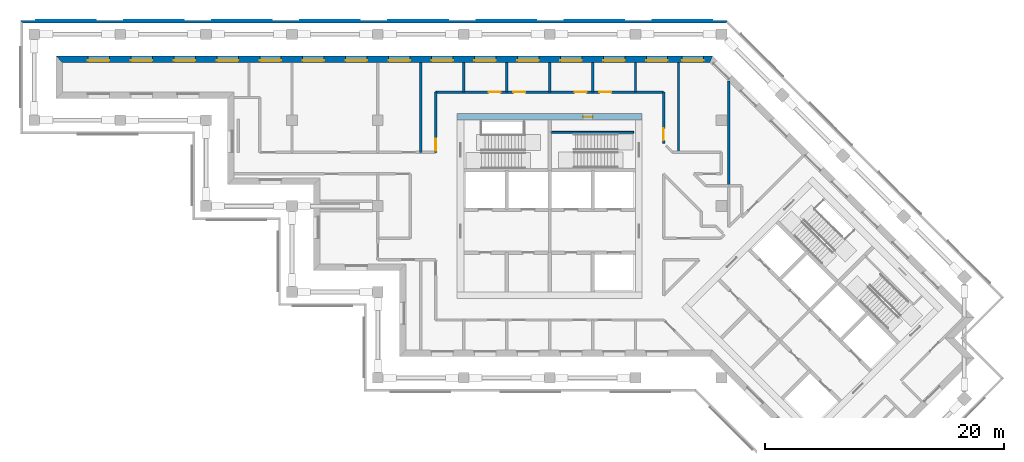
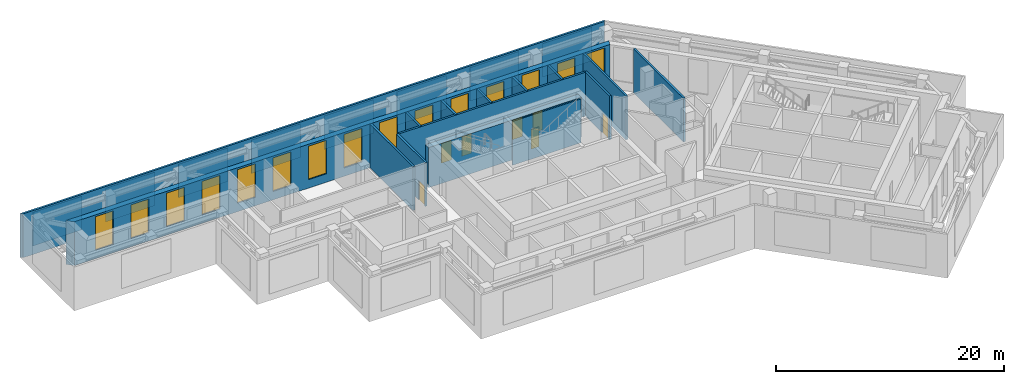
# One storey, part 6 of 10: 15 walls, 15 windows, 8 plates, 7 doors, 22 openings.
"""IFC4 building model written with IfcOpenShell, lengths in metres."""

from ifc_helpers import new_model, si_unit, direction, frame, frame_2d, origin, place, context, subcontext, project, spatial, polyline, rectangle, outline, extrude, material, layer, layer_set, type_object, element, fill, aggregate, save


model = new_model("IFC4")

# Units and contexts
model_context = context("Model", 3, precision=1e-05, world=origin(), true_north=direction((0.0, 1.0)))
body_context = subcontext(model_context, "Body", "Model", "MODEL_VIEW")
ifc_project = project(units=[si_unit("LENGTHUNIT", "METRE"), si_unit("AREAUNIT", "SQUARE_METRE"), si_unit("VOLUMEUNIT", "CUBIC_METRE"), si_unit("PLANEANGLEUNIT", "RADIAN"), si_unit("MASSUNIT", "GRAM", prefix="KILO")], contexts=[model_context])

# Plate
ifc_material_1 = material(Name="Aluminium louvre", Category="aluminium")
ifc_layer_1 = layer(ifc_material_1, 0.05)
ifc_layer_set_1 = layer_set([ifc_layer_1], Name="Belt louvre panel 5000x3600")
plate_type = type_object("IfcPlateType", Name="Belt louvre panel 5000x3600", PredefinedType="SHEET", material=ifc_layer_set_1)
site_placement = place(None, origin())
building_placement = place(site_placement, origin())
storey_placement = place(building_placement, frame((0.0, 0.0, 180.4)))
plate_1_placement = place(storey_placement, frame((78.4421, 73.2, 0.75), z_axis=(0.0, 1.0, 0.0), x_axis=(-1.0, 0.0, 0.0)))
plate_1 = element("IfcPlate", 1, at=plate_1_placement, type_object=plate_type, Name="Belt louvre panel L49 24.1", PredefinedType="SHEET", context=body_context, shape_type="SweptSolid", body=[
    extrude(outline(polyline([(0.0, 0.0), (5.0, 0.0), (5.0, 3.6), (0.0, 3.6), (0.0, 0.0)])), origin(), (0.0, 0.0, -1.0), 0.05),
])

plate_2_placement = place(storey_placement, frame((71.0565, 73.2, 0.75), z_axis=(0.0, 1.0, 0.0), x_axis=(-1.0, 0.0, 0.0)))
plate_2 = element("IfcPlate", 2, at=plate_2_placement, type_object=plate_type, Name="Belt louvre panel L49 25.2", PredefinedType="SHEET", context=body_context, shape_type="SweptSolid", body=[
    extrude(outline(polyline([(0.0, 0.0), (5.0, 0.0), (5.0, 3.6), (0.0, 3.6), (0.0, 0.0)])), origin(), (0.0, 0.0, -1.0), 0.05),
])

plate_3_placement = place(storey_placement, frame((63.6709, 73.2, 0.75), z_axis=(0.0, 1.0, 0.0), x_axis=(-1.0, 0.0, 0.0)))
plate_3 = element("IfcPlate", 3, at=plate_3_placement, type_object=plate_type, Name="Belt louvre panel L49 26.3", PredefinedType="SHEET", context=body_context, shape_type="SweptSolid", body=[
    extrude(outline(polyline([(0.0, 0.0), (5.0, 0.0), (5.0, 3.6), (0.0, 3.6), (0.0, 0.0)])), origin(), (0.0, 0.0, -1.0), 0.05),
])

plate_4_placement = place(storey_placement, frame((56.2852, 73.2, 0.75), z_axis=(0.0, 1.0, 0.0), x_axis=(-1.0, 0.0, 0.0)))
plate_4 = element("IfcPlate", 4, at=plate_4_placement, type_object=plate_type, Name="Belt louvre panel L49 27.4", PredefinedType="SHEET", context=body_context, shape_type="SweptSolid", body=[
    extrude(outline(polyline([(0.0, 0.0), (5.0, 0.0), (5.0, 3.6), (0.0, 3.6), (0.0, 0.0)])), origin(), (0.0, 0.0, -1.0), 0.05),
])

plate_5_placement = place(storey_placement, frame((48.8996, 73.2, 0.75), z_axis=(0.0, 1.0, 0.0), x_axis=(-1.0, 0.0, 0.0)))
plate_5 = element("IfcPlate", 5, at=plate_5_placement, type_object=plate_type, Name="Belt louvre panel L49 28.5", PredefinedType="SHEET", context=body_context, shape_type="SweptSolid", body=[
    extrude(outline(polyline([(0.0, 0.0), (5.0, 0.0), (5.0, 3.6), (0.0, 3.6), (0.0, 0.0)])), origin(), (0.0, 0.0, -1.0), 0.05),
])

plate_6_placement = place(storey_placement, frame((41.514, 73.2, 0.75), z_axis=(0.0, 1.0, 0.0), x_axis=(-1.0, 0.0, 0.0)))
plate_6 = element("IfcPlate", 6, at=plate_6_placement, type_object=plate_type, Name="Belt louvre panel L49 29.6", PredefinedType="SHEET", context=body_context, shape_type="SweptSolid", body=[
    extrude(outline(polyline([(0.0, 0.0), (5.0, 0.0), (5.0, 3.6), (0.0, 3.6), (0.0, 0.0)])), origin(), (0.0, 0.0, -1.0), 0.05),
])

plate_7_placement = place(storey_placement, frame((34.1284, 73.2, 0.75), z_axis=(0.0, 1.0, 0.0), x_axis=(-1.0, 0.0, 0.0)))
plate_7 = element("IfcPlate", 7, at=plate_7_placement, type_object=plate_type, Name="Belt louvre panel L49 30.7", PredefinedType="SHEET", context=body_context, shape_type="SweptSolid", body=[
    extrude(outline(polyline([(0.0, 0.0), (5.0, 0.0), (5.0, 3.6), (0.0, 3.6), (0.0, 0.0)])), origin(), (0.0, 0.0, -1.0), 0.05),
])

plate_8_placement = place(storey_placement, frame((26.7428, 73.2, 0.75), z_axis=(0.0, 1.0, 0.0), x_axis=(-1.0, 0.0, 0.0)))
plate_8 = element("IfcPlate", 8, at=plate_8_placement, type_object=plate_type, Name="Belt louvre panel L49 31.8", PredefinedType="SHEET", context=body_context, shape_type="SweptSolid", body=[
    extrude(outline(polyline([(0.0, 0.0), (5.0, 0.0), (5.0, 3.6), (0.0, 3.6), (0.0, 0.0)])), origin(), (0.0, 0.0, -1.0), 0.05),
])

# Site, building, storey
site = spatial("IfcSite", under=ifc_project, at=site_placement, CompositionType="ELEMENT")
building = spatial("IfcBuilding", under=site, at=building_placement, Name="Windrow Commons", CompositionType="ELEMENT")
storey = spatial("IfcBuildingStorey", under=building, at=storey_placement, Name="L49", CompositionType="ELEMENT", Elevation=180.4)

# Wall
ifc_material_2 = material(Name="Concrete C40/50 precast screen panel", Category="concrete")
ifc_layer_2 = layer(ifc_material_2, 0.2)
ifc_layer_set_2 = layer_set([ifc_layer_2], Name="Belt screen wall 200")
wall_type_1 = type_object("IfcWallType", Name="Belt screen wall 200", PredefinedType="SOLIDWALL", material=ifc_layer_set_2)
wall_1_placement = place(storey_placement, frame((79.6349, 73.05, 0.0), z_axis=(0.0, 0.0, 1.0), x_axis=(-1.0, 0.0, 0.0)))
wall_1 = element("IfcWall", 9, at=wall_1_placement, inside=storey, type_object=wall_type_1, Name="Belt screen wall L49 24", PredefinedType="SOLIDWALL", context=body_context, shape_type="SweptSolid", body=[
    extrude(outline(polyline([(-0.0414, -0.1), (59.1849, -0.1), (58.9849, 0.1), (0.0414, 0.1), (-0.0414, -0.1)])), origin(), (0.0, 0.0, 1.0), 4.7),
])

aggregate(wall_1, [plate_1, plate_2, plate_3, plate_4, plate_5, plate_6, plate_7, plate_8])

# Wall, openings, windows
ifc_material_3 = material(Name="Brick masonry, red clay brick", Category="masonry")
ifc_layer_3 = layer(ifc_material_3, 0.55)
ifc_layer_set_3 = layer_set([ifc_layer_3], Name="Brick facade wall 550")
wall_type_2 = type_object("IfcWallType", Name="Brick facade wall 550", PredefinedType="SOLIDWALL", material=ifc_layer_set_3)
wall_2_placement = place(storey_placement, frame((78.3405, 69.925, 0.0), z_axis=(0.0, 0.0, 1.0), x_axis=(-1.0, 0.0, 0.0)))
wall_2 = element("IfcWall", 10, at=wall_2_placement, inside=storey, type_object=wall_type_2, Name="Brick facade wall L49 4", PredefinedType="SOLIDWALL", context=body_context, shape_type="SweptSolid", body=[
    extrude(outline(polyline([(-0.1139, -0.275), (54.9405, -0.275), (54.3905, 0.275), (0.1139, 0.275), (-0.1139, -0.275)])), origin(), (0.0, 0.0, 1.0), 4.7),
])
opening_1_placement = place(wall_2_placement, frame((0.6272, 0.0, 0.9)))
opening_1 = element("IfcOpeningElement", 11, at=opening_1_placement, cuts=wall_2, Name="Opening LV2", PredefinedType="OPENING", context=body_context, shape_type="SweptSolid", body=[
    extrude(rectangle(XDim=1.8, YDim=3.6, at=frame_2d((0.9, 1.8))), frame((0.0, 0.285, 0.0), z_axis=(0.0, -1.0, 0.0), x_axis=(1.0, 0.0, 0.0)), (0.0, 0.0, 1.0), 0.57),
])
opening_2_placement = place(wall_2_placement, frame((3.6405, 0.0, 0.9)))
opening_2 = element("IfcOpeningElement", 12, at=opening_2_placement, cuts=wall_2, Name="Opening LV2", PredefinedType="OPENING", context=body_context, shape_type="SweptSolid", body=[
    extrude(rectangle(XDim=1.8, YDim=3.6, at=frame_2d((0.9, 1.8))), frame((0.0, 0.285, 0.0), z_axis=(0.0, -1.0, 0.0), x_axis=(1.0, 0.0, 0.0)), (0.0, 0.0, 1.0), 0.57),
])
opening_3_placement = place(wall_2_placement, frame((7.2405, 0.0, 0.9)))
opening_3 = element("IfcOpeningElement", 13, at=opening_3_placement, cuts=wall_2, Name="Opening LV2", PredefinedType="OPENING", context=body_context, shape_type="SweptSolid", body=[
    extrude(rectangle(XDim=1.8, YDim=3.6, at=frame_2d((0.9, 1.8))), frame((0.0, 0.285, 0.0), z_axis=(0.0, -1.0, 0.0), x_axis=(1.0, 0.0, 0.0)), (0.0, 0.0, 1.0), 0.57),
])
opening_4_placement = place(wall_2_placement, frame((10.8405, 0.0, 0.9)))
opening_4 = element("IfcOpeningElement", 14, at=opening_4_placement, cuts=wall_2, Name="Opening LV2", PredefinedType="OPENING", context=body_context, shape_type="SweptSolid", body=[
    extrude(rectangle(XDim=1.8, YDim=3.6, at=frame_2d((0.9, 1.8))), frame((0.0, 0.285, 0.0), z_axis=(0.0, -1.0, 0.0), x_axis=(1.0, 0.0, 0.0)), (0.0, 0.0, 1.0), 0.57),
])
opening_5_placement = place(wall_2_placement, frame((14.4405, 0.0, 0.9)))
opening_5 = element("IfcOpeningElement", 15, at=opening_5_placement, cuts=wall_2, Name="Opening LV2", PredefinedType="OPENING", context=body_context, shape_type="SweptSolid", body=[
    extrude(rectangle(XDim=1.8, YDim=3.6, at=frame_2d((0.9, 1.8))), frame((0.0, 0.285, 0.0), z_axis=(0.0, -1.0, 0.0), x_axis=(1.0, 0.0, 0.0)), (0.0, 0.0, 1.0), 0.57),
])
opening_6_placement = place(wall_2_placement, frame((18.0405, 0.0, 0.9)))
opening_6 = element("IfcOpeningElement", 16, at=opening_6_placement, cuts=wall_2, Name="Opening LV2", PredefinedType="OPENING", context=body_context, shape_type="SweptSolid", body=[
    extrude(rectangle(XDim=1.8, YDim=3.6, at=frame_2d((0.9, 1.8))), frame((0.0, 0.285, 0.0), z_axis=(0.0, -1.0, 0.0), x_axis=(1.0, 0.0, 0.0)), (0.0, 0.0, 1.0), 0.57),
])
opening_7_placement = place(wall_2_placement, frame((21.6405, 0.0, 0.9)))
opening_7 = element("IfcOpeningElement", 17, at=opening_7_placement, cuts=wall_2, Name="Opening LV2", PredefinedType="OPENING", context=body_context, shape_type="SweptSolid", body=[
    extrude(rectangle(XDim=1.8, YDim=3.6, at=frame_2d((0.9, 1.8))), frame((0.0, 0.285, 0.0), z_axis=(0.0, -1.0, 0.0), x_axis=(1.0, 0.0, 0.0)), (0.0, 0.0, 1.0), 0.57),
])
opening_8_placement = place(wall_2_placement, frame((25.2405, 0.0, 0.9)))
opening_8 = element("IfcOpeningElement", 18, at=opening_8_placement, cuts=wall_2, Name="Opening LV2", PredefinedType="OPENING", context=body_context, shape_type="SweptSolid", body=[
    extrude(rectangle(XDim=1.8, YDim=3.6, at=frame_2d((0.9, 1.8))), frame((0.0, 0.285, 0.0), z_axis=(0.0, -1.0, 0.0), x_axis=(1.0, 0.0, 0.0)), (0.0, 0.0, 1.0), 0.57),
])
opening_9_placement = place(wall_2_placement, frame((28.8405, 0.0, 0.9)))
opening_9 = element("IfcOpeningElement", 19, at=opening_9_placement, cuts=wall_2, Name="Opening LV2", PredefinedType="OPENING", context=body_context, shape_type="SweptSolid", body=[
    extrude(rectangle(XDim=1.8, YDim=3.6, at=frame_2d((0.9, 1.8))), frame((0.0, 0.285, 0.0), z_axis=(0.0, -1.0, 0.0), x_axis=(1.0, 0.0, 0.0)), (0.0, 0.0, 1.0), 0.57),
])
opening_10_placement = place(wall_2_placement, frame((32.4405, 0.0, 0.9)))
opening_10 = element("IfcOpeningElement", 20, at=opening_10_placement, cuts=wall_2, Name="Opening LV2", PredefinedType="OPENING", context=body_context, shape_type="SweptSolid", body=[
    extrude(rectangle(XDim=1.8, YDim=3.6, at=frame_2d((0.9, 1.8))), frame((0.0, 0.285, 0.0), z_axis=(0.0, -1.0, 0.0), x_axis=(1.0, 0.0, 0.0)), (0.0, 0.0, 1.0), 0.57),
])
opening_11_placement = place(wall_2_placement, frame((36.0405, 0.0, 0.9)))
opening_11 = element("IfcOpeningElement", 21, at=opening_11_placement, cuts=wall_2, Name="Opening LV2", PredefinedType="OPENING", context=body_context, shape_type="SweptSolid", body=[
    extrude(rectangle(XDim=1.8, YDim=3.6, at=frame_2d((0.9, 1.8))), frame((0.0, 0.285, 0.0), z_axis=(0.0, -1.0, 0.0), x_axis=(1.0, 0.0, 0.0)), (0.0, 0.0, 1.0), 0.57),
])
opening_12_placement = place(wall_2_placement, frame((39.6405, 0.0, 0.9)))
opening_12 = element("IfcOpeningElement", 22, at=opening_12_placement, cuts=wall_2, Name="Opening LV2", PredefinedType="OPENING", context=body_context, shape_type="SweptSolid", body=[
    extrude(rectangle(XDim=1.8, YDim=3.6, at=frame_2d((0.9, 1.8))), frame((0.0, 0.285, 0.0), z_axis=(0.0, -1.0, 0.0), x_axis=(1.0, 0.0, 0.0)), (0.0, 0.0, 1.0), 0.57),
])
opening_13_placement = place(wall_2_placement, frame((43.2405, 0.0, 0.9)))
opening_13 = element("IfcOpeningElement", 23, at=opening_13_placement, cuts=wall_2, Name="Opening LV2", PredefinedType="OPENING", context=body_context, shape_type="SweptSolid", body=[
    extrude(rectangle(XDim=1.8, YDim=3.6, at=frame_2d((0.9, 1.8))), frame((0.0, 0.285, 0.0), z_axis=(0.0, -1.0, 0.0), x_axis=(1.0, 0.0, 0.0)), (0.0, 0.0, 1.0), 0.57),
])
opening_14_placement = place(wall_2_placement, frame((46.8405, 0.0, 0.9)))
opening_14 = element("IfcOpeningElement", 24, at=opening_14_placement, cuts=wall_2, Name="Opening LV2", PredefinedType="OPENING", context=body_context, shape_type="SweptSolid", body=[
    extrude(rectangle(XDim=1.8, YDim=3.6, at=frame_2d((0.9, 1.8))), frame((0.0, 0.285, 0.0), z_axis=(0.0, -1.0, 0.0), x_axis=(1.0, 0.0, 0.0)), (0.0, 0.0, 1.0), 0.57),
])
opening_15_placement = place(wall_2_placement, frame((50.4405, 0.0, 0.9)))
opening_15 = element("IfcOpeningElement", 25, at=opening_15_placement, cuts=wall_2, Name="Opening LV2", PredefinedType="OPENING", context=body_context, shape_type="SweptSolid", body=[
    extrude(rectangle(XDim=1.8, YDim=3.6, at=frame_2d((0.9, 1.8))), frame((0.0, 0.285, 0.0), z_axis=(0.0, -1.0, 0.0), x_axis=(1.0, 0.0, 0.0)), (0.0, 0.0, 1.0), 0.57),
])
ifc_material_4 = material(Name="Aluminium 6063-T6 anodised louvre", Category="aluminium")
window_type = type_object("IfcWindowType", Name="Plant louvre 1800x3600", PartitioningType="SINGLE_PANEL", PredefinedType="WINDOW", material=ifc_material_4)
window_1_placement = place(opening_1_placement, origin())
window_1 = element("IfcWindow", 26, at=window_1_placement, inside=storey, type_object=window_type, Name="Louvre L49 4.1", OverallHeight=3.6, OverallWidth=1.8, PartitioningType="SINGLE_PANEL", PredefinedType="WINDOW", context=body_context, shape_type="SweptSolid", body=[
    extrude(rectangle(XDim=1.8, YDim=3.6, at=frame_2d((0.9, 1.8))), frame((0.0, 0.155, 0.0), z_axis=(0.0, -1.0, 0.0), x_axis=(1.0, 0.0, 0.0)), (0.0, 0.0, 1.0), 0.06),
])
fill(opening_1, window_1)
window_2_placement = place(opening_2_placement, origin())
window_2 = element("IfcWindow", 27, at=window_2_placement, inside=storey, type_object=window_type, Name="Louvre L49 4.2", OverallHeight=3.6, OverallWidth=1.8, PartitioningType="SINGLE_PANEL", PredefinedType="WINDOW", context=body_context, shape_type="SweptSolid", body=[
    extrude(rectangle(XDim=1.8, YDim=3.6, at=frame_2d((0.9, 1.8))), frame((0.0, 0.155, 0.0), z_axis=(0.0, -1.0, 0.0), x_axis=(1.0, 0.0, 0.0)), (0.0, 0.0, 1.0), 0.06),
])
fill(opening_2, window_2)
window_3_placement = place(opening_3_placement, origin())
window_3 = element("IfcWindow", 28, at=window_3_placement, inside=storey, type_object=window_type, Name="Louvre L49 4.3", OverallHeight=3.6, OverallWidth=1.8, PartitioningType="SINGLE_PANEL", PredefinedType="WINDOW", context=body_context, shape_type="SweptSolid", body=[
    extrude(rectangle(XDim=1.8, YDim=3.6, at=frame_2d((0.9, 1.8))), frame((0.0, 0.155, 0.0), z_axis=(0.0, -1.0, 0.0), x_axis=(1.0, 0.0, 0.0)), (0.0, 0.0, 1.0), 0.06),
])
fill(opening_3, window_3)
window_4_placement = place(opening_4_placement, origin())
window_4 = element("IfcWindow", 29, at=window_4_placement, inside=storey, type_object=window_type, Name="Louvre L49 4.4", OverallHeight=3.6, OverallWidth=1.8, PartitioningType="SINGLE_PANEL", PredefinedType="WINDOW", context=body_context, shape_type="SweptSolid", body=[
    extrude(rectangle(XDim=1.8, YDim=3.6, at=frame_2d((0.9, 1.8))), frame((0.0, 0.155, 0.0), z_axis=(0.0, -1.0, 0.0), x_axis=(1.0, 0.0, 0.0)), (0.0, 0.0, 1.0), 0.06),
])
fill(opening_4, window_4)
window_5_placement = place(opening_5_placement, origin())
window_5 = element("IfcWindow", 30, at=window_5_placement, inside=storey, type_object=window_type, Name="Louvre L49 4.5", OverallHeight=3.6, OverallWidth=1.8, PartitioningType="SINGLE_PANEL", PredefinedType="WINDOW", context=body_context, shape_type="SweptSolid", body=[
    extrude(rectangle(XDim=1.8, YDim=3.6, at=frame_2d((0.9, 1.8))), frame((0.0, 0.155, 0.0), z_axis=(0.0, -1.0, 0.0), x_axis=(1.0, 0.0, 0.0)), (0.0, 0.0, 1.0), 0.06),
])
fill(opening_5, window_5)
window_6_placement = place(opening_6_placement, origin())
window_6 = element("IfcWindow", 31, at=window_6_placement, inside=storey, type_object=window_type, Name="Louvre L49 4.6", OverallHeight=3.6, OverallWidth=1.8, PartitioningType="SINGLE_PANEL", PredefinedType="WINDOW", context=body_context, shape_type="SweptSolid", body=[
    extrude(rectangle(XDim=1.8, YDim=3.6, at=frame_2d((0.9, 1.8))), frame((0.0, 0.155, 0.0), z_axis=(0.0, -1.0, 0.0), x_axis=(1.0, 0.0, 0.0)), (0.0, 0.0, 1.0), 0.06),
])
fill(opening_6, window_6)
window_7_placement = place(opening_7_placement, origin())
window_7 = element("IfcWindow", 32, at=window_7_placement, inside=storey, type_object=window_type, Name="Louvre L49 4.7", OverallHeight=3.6, OverallWidth=1.8, PartitioningType="SINGLE_PANEL", PredefinedType="WINDOW", context=body_context, shape_type="SweptSolid", body=[
    extrude(rectangle(XDim=1.8, YDim=3.6, at=frame_2d((0.9, 1.8))), frame((0.0, 0.155, 0.0), z_axis=(0.0, -1.0, 0.0), x_axis=(1.0, 0.0, 0.0)), (0.0, 0.0, 1.0), 0.06),
])
fill(opening_7, window_7)
window_8_placement = place(opening_8_placement, origin())
window_8 = element("IfcWindow", 33, at=window_8_placement, inside=storey, type_object=window_type, Name="Louvre L49 4.8", OverallHeight=3.6, OverallWidth=1.8, PartitioningType="SINGLE_PANEL", PredefinedType="WINDOW", context=body_context, shape_type="SweptSolid", body=[
    extrude(rectangle(XDim=1.8, YDim=3.6, at=frame_2d((0.9, 1.8))), frame((0.0, 0.155, 0.0), z_axis=(0.0, -1.0, 0.0), x_axis=(1.0, 0.0, 0.0)), (0.0, 0.0, 1.0), 0.06),
])
fill(opening_8, window_8)
window_9_placement = place(opening_9_placement, origin())
window_9 = element("IfcWindow", 34, at=window_9_placement, inside=storey, type_object=window_type, Name="Louvre L49 4.9", OverallHeight=3.6, OverallWidth=1.8, PartitioningType="SINGLE_PANEL", PredefinedType="WINDOW", context=body_context, shape_type="SweptSolid", body=[
    extrude(rectangle(XDim=1.8, YDim=3.6, at=frame_2d((0.9, 1.8))), frame((0.0, 0.155, 0.0), z_axis=(0.0, -1.0, 0.0), x_axis=(1.0, 0.0, 0.0)), (0.0, 0.0, 1.0), 0.06),
])
fill(opening_9, window_9)
window_10_placement = place(opening_10_placement, origin())
window_10 = element("IfcWindow", 35, at=window_10_placement, inside=storey, type_object=window_type, Name="Louvre L49 4.10", OverallHeight=3.6, OverallWidth=1.8, PartitioningType="SINGLE_PANEL", PredefinedType="WINDOW", context=body_context, shape_type="SweptSolid", body=[
    extrude(rectangle(XDim=1.8, YDim=3.6, at=frame_2d((0.9, 1.8))), frame((0.0, 0.155, 0.0), z_axis=(0.0, -1.0, 0.0), x_axis=(1.0, 0.0, 0.0)), (0.0, 0.0, 1.0), 0.06),
])
fill(opening_10, window_10)
window_11_placement = place(opening_11_placement, origin())
window_11 = element("IfcWindow", 36, at=window_11_placement, inside=storey, type_object=window_type, Name="Louvre L49 4.11", OverallHeight=3.6, OverallWidth=1.8, PartitioningType="SINGLE_PANEL", PredefinedType="WINDOW", context=body_context, shape_type="SweptSolid", body=[
    extrude(rectangle(XDim=1.8, YDim=3.6, at=frame_2d((0.9, 1.8))), frame((0.0, 0.155, 0.0), z_axis=(0.0, -1.0, 0.0), x_axis=(1.0, 0.0, 0.0)), (0.0, 0.0, 1.0), 0.06),
])
fill(opening_11, window_11)
window_12_placement = place(opening_12_placement, origin())
window_12 = element("IfcWindow", 37, at=window_12_placement, inside=storey, type_object=window_type, Name="Louvre L49 4.12", OverallHeight=3.6, OverallWidth=1.8, PartitioningType="SINGLE_PANEL", PredefinedType="WINDOW", context=body_context, shape_type="SweptSolid", body=[
    extrude(rectangle(XDim=1.8, YDim=3.6, at=frame_2d((0.9, 1.8))), frame((0.0, 0.155, 0.0), z_axis=(0.0, -1.0, 0.0), x_axis=(1.0, 0.0, 0.0)), (0.0, 0.0, 1.0), 0.06),
])
fill(opening_12, window_12)
window_13_placement = place(opening_13_placement, origin())
window_13 = element("IfcWindow", 38, at=window_13_placement, inside=storey, type_object=window_type, Name="Louvre L49 4.13", OverallHeight=3.6, OverallWidth=1.8, PartitioningType="SINGLE_PANEL", PredefinedType="WINDOW", context=body_context, shape_type="SweptSolid", body=[
    extrude(rectangle(XDim=1.8, YDim=3.6, at=frame_2d((0.9, 1.8))), frame((0.0, 0.155, 0.0), z_axis=(0.0, -1.0, 0.0), x_axis=(1.0, 0.0, 0.0)), (0.0, 0.0, 1.0), 0.06),
])
fill(opening_13, window_13)
window_14_placement = place(opening_14_placement, origin())
window_14 = element("IfcWindow", 39, at=window_14_placement, inside=storey, type_object=window_type, Name="Louvre L49 4.14", OverallHeight=3.6, OverallWidth=1.8, PartitioningType="SINGLE_PANEL", PredefinedType="WINDOW", context=body_context, shape_type="SweptSolid", body=[
    extrude(rectangle(XDim=1.8, YDim=3.6, at=frame_2d((0.9, 1.8))), frame((0.0, 0.155, 0.0), z_axis=(0.0, -1.0, 0.0), x_axis=(1.0, 0.0, 0.0)), (0.0, 0.0, 1.0), 0.06),
])
fill(opening_14, window_14)
window_15_placement = place(opening_15_placement, origin())
window_15 = element("IfcWindow", 40, at=window_15_placement, inside=storey, type_object=window_type, Name="Louvre L49 4.15", OverallHeight=3.6, OverallWidth=1.8, PartitioningType="SINGLE_PANEL", PredefinedType="WINDOW", context=body_context, shape_type="SweptSolid", body=[
    extrude(rectangle(XDim=1.8, YDim=3.6, at=frame_2d((0.9, 1.8))), frame((0.0, 0.155, 0.0), z_axis=(0.0, -1.0, 0.0), x_axis=(1.0, 0.0, 0.0)), (0.0, 0.0, 1.0), 0.06),
])
fill(opening_15, window_15)

# Wall, openings, doors
ifc_material_5 = material(Name="Blockwork partition", Category="masonry")
ifc_layer_4 = layer(ifc_material_5, 0.2)
ifc_layer_set_4 = layer_set([ifc_layer_4], Name="IW-CORRIDOR-200")
wall_type_3 = type_object("IfcWallType", Name="IW-CORRIDOR-200", PredefinedType="PARTITIONING", material=ifc_layer_set_4)
wall_3_placement = place(storey_placement, frame((55.25, 67.15, 0.0), z_axis=(0.0, 0.0, 1.0), x_axis=(1.0, 0.0, 0.0)))
wall_3 = element("IfcWall", 41, at=wall_3_placement, inside=storey, type_object=wall_type_3, Name="W-L49-W001", PredefinedType="PARTITIONING", context=body_context, shape_type="SweptSolid", body=[
    extrude(rectangle(XDim=19.1, YDim=0.2, at=frame_2d((9.55, 0.0))), origin(), (0.0, 0.0, 1.0), 4.7),
])
opening_16_placement = place(wall_3_placement, frame((4.4425, 0.0, 0.0)))
opening_16 = element("IfcOpeningElement", 42, at=opening_16_placement, cuts=wall_3, Name="Opening D410F", PredefinedType="OPENING", context=body_context, shape_type="SweptSolid", body=[
    extrude(rectangle(XDim=1.0, YDim=2.1, at=frame_2d((0.5, 1.05))), frame((0.0, 0.11, 0.0), z_axis=(0.0, -1.0, 0.0), x_axis=(1.0, 0.0, 0.0)), (0.0, 0.0, 1.0), 0.22),
])
opening_17_placement = place(wall_3_placement, frame((6.5175, 0.0, 0.0)))
opening_17 = element("IfcOpeningElement", 43, at=opening_17_placement, cuts=wall_3, Name="Opening D410F", PredefinedType="OPENING", context=body_context, shape_type="SweptSolid", body=[
    extrude(rectangle(XDim=1.0, YDim=2.1, at=frame_2d((0.5, 1.05))), frame((0.0, 0.11, 0.0), z_axis=(0.0, -1.0, 0.0), x_axis=(1.0, 0.0, 0.0)), (0.0, 0.0, 1.0), 0.22),
])
opening_18_placement = place(wall_3_placement, frame((11.6425, 0.0, 0.0)))
opening_18 = element("IfcOpeningElement", 44, at=opening_18_placement, cuts=wall_3, Name="Opening D410F", PredefinedType="OPENING", context=body_context, shape_type="SweptSolid", body=[
    extrude(rectangle(XDim=1.0, YDim=2.1, at=frame_2d((0.5, 1.05))), frame((0.0, 0.11, 0.0), z_axis=(0.0, -1.0, 0.0), x_axis=(1.0, 0.0, 0.0)), (0.0, 0.0, 1.0), 0.22),
])
opening_19_placement = place(wall_3_placement, frame((13.7175, 0.0, 0.0)))
opening_19 = element("IfcOpeningElement", 45, at=opening_19_placement, cuts=wall_3, Name="Opening D410F", PredefinedType="OPENING", context=body_context, shape_type="SweptSolid", body=[
    extrude(rectangle(XDim=1.0, YDim=2.1, at=frame_2d((0.5, 1.05))), frame((0.0, 0.11, 0.0), z_axis=(0.0, -1.0, 0.0), x_axis=(1.0, 0.0, 0.0)), (0.0, 0.0, 1.0), 0.22),
])
ifc_material_6 = material(Name="Timber door leaf", Category="wood")
door_type_1 = type_object("IfcDoorType", Name="DT-SERVICE-1000", OperationType="SINGLE_SWING_LEFT", PredefinedType="DOOR", material=ifc_material_6)
door_1_placement = place(opening_16_placement, origin())
door_1 = element("IfcDoor", 46, at=door_1_placement, inside=storey, type_object=door_type_1, Name="D-L49-D011", OperationType="SINGLE_SWING_RIGHT", OverallHeight=2.1, OverallWidth=1.0, PredefinedType="DOOR", context=body_context, shape_type="SweptSolid", body=[
    extrude(rectangle(XDim=1.0, YDim=2.1, at=frame_2d((0.5, 1.05))), frame((0.0, 0.025, 0.0), z_axis=(0.0, -1.0, 0.0), x_axis=(1.0, 0.0, 0.0)), (0.0, 0.0, 1.0), 0.05),
])
fill(opening_16, door_1)
door_2_placement = place(opening_17_placement, origin())
door_2 = element("IfcDoor", 47, at=door_2_placement, inside=storey, type_object=door_type_1, Name="D-L49-D012", OperationType="SINGLE_SWING_LEFT", OverallHeight=2.1, OverallWidth=1.0, PredefinedType="DOOR", context=body_context, shape_type="SweptSolid", body=[
    extrude(rectangle(XDim=1.0, YDim=2.1, at=frame_2d((0.5, 1.05))), frame((0.0, 0.025, 0.0), z_axis=(0.0, -1.0, 0.0), x_axis=(1.0, 0.0, 0.0)), (0.0, 0.0, 1.0), 0.05),
])
fill(opening_17, door_2)
door_3_placement = place(opening_18_placement, origin())
door_3 = element("IfcDoor", 48, at=door_3_placement, inside=storey, type_object=door_type_1, Name="D-L49-D013", OperationType="SINGLE_SWING_RIGHT", OverallHeight=2.1, OverallWidth=1.0, PredefinedType="DOOR", context=body_context, shape_type="SweptSolid", body=[
    extrude(rectangle(XDim=1.0, YDim=2.1, at=frame_2d((0.5, 1.05))), frame((0.0, 0.025, 0.0), z_axis=(0.0, -1.0, 0.0), x_axis=(1.0, 0.0, 0.0)), (0.0, 0.0, 1.0), 0.05),
])
fill(opening_18, door_3)
door_4_placement = place(opening_19_placement, origin())
door_4 = element("IfcDoor", 49, at=door_4_placement, inside=storey, type_object=door_type_1, Name="D-L49-D014", OperationType="SINGLE_SWING_LEFT", OverallHeight=2.1, OverallWidth=1.0, PredefinedType="DOOR", context=body_context, shape_type="SweptSolid", body=[
    extrude(rectangle(XDim=1.0, YDim=2.1, at=frame_2d((0.5, 1.05))), frame((0.0, 0.025, 0.0), z_axis=(0.0, -1.0, 0.0), x_axis=(1.0, 0.0, 0.0)), (0.0, 0.0, 1.0), 0.05),
])
fill(opening_19, door_4)

# Wall, opening, door
wall_4_placement = place(storey_placement, frame((55.25, 62.102, 0.0), z_axis=(0.0, 0.0, 1.0), x_axis=(0.0, 1.0, 0.0)))
wall_4 = element("IfcWall", 50, at=wall_4_placement, inside=storey, type_object=wall_type_3, Name="W-L49-W015", PredefinedType="PARTITIONING", context=body_context, shape_type="SweptSolid", body=[
    extrude(rectangle(XDim=5.048, YDim=0.2, at=frame_2d((2.524, 0.0))), origin(), (0.0, 0.0, 1.0), 4.7),
])
opening_20_placement = place(wall_4_placement, frame((0.1566, 0.0, 0.0)))
opening_20 = element("IfcOpeningElement", 51, at=opening_20_placement, cuts=wall_4, Name="Opening D410F", PredefinedType="OPENING", context=body_context, shape_type="SweptSolid", body=[
    extrude(rectangle(XDim=1.0, YDim=2.1, at=frame_2d((0.5, 1.05))), frame((0.0, 0.11, 0.0), z_axis=(0.0, -1.0, 0.0), x_axis=(1.0, 0.0, 0.0)), (0.0, 0.0, 1.0), 0.22),
])
door_5_placement = place(opening_20_placement, origin())
door_5 = element("IfcDoor", 52, at=door_5_placement, inside=storey, type_object=door_type_1, Name="D-L49-D018", OperationType="SINGLE_SWING_LEFT", OverallHeight=2.1, OverallWidth=1.0, PredefinedType="DOOR", context=body_context, shape_type="SweptSolid", body=[
    extrude(rectangle(XDim=1.0, YDim=2.1, at=frame_2d((0.5, 1.05))), frame((0.0, 0.025, 0.0), z_axis=(0.0, -1.0, 0.0), x_axis=(1.0, 0.0, 0.0)), (0.0, 0.0, 1.0), 0.05),
])
fill(opening_20, door_5)

wall_5_placement = place(storey_placement, frame((74.35, 62.85, 0.0), z_axis=(0.0, 0.0, 1.0), x_axis=(0.0, 1.0, 0.0)))
wall_5 = element("IfcWall", 53, at=wall_5_placement, inside=storey, type_object=wall_type_3, Name="W-L49-W024", PredefinedType="PARTITIONING", context=body_context, shape_type="SweptSolid", body=[
    extrude(rectangle(XDim=4.3, YDim=0.2, at=frame_2d((2.15, 0.0))), origin(), (0.0, 0.0, 1.0), 4.7),
])
opening_21_placement = place(wall_5_placement, frame((0.268, 0.0, 0.0)))
opening_21 = element("IfcOpeningElement", 54, at=opening_21_placement, cuts=wall_5, Name="Opening D410F", PredefinedType="OPENING", context=body_context, shape_type="SweptSolid", body=[
    extrude(rectangle(XDim=1.0, YDim=2.1, at=frame_2d((0.5, 1.05))), frame((0.0, 0.11, 0.0), z_axis=(0.0, -1.0, 0.0), x_axis=(1.0, 0.0, 0.0)), (0.0, 0.0, 1.0), 0.22),
])
door_6_placement = place(opening_21_placement, origin())
door_6 = element("IfcDoor", 55, at=door_6_placement, inside=storey, type_object=door_type_1, Name="D-L49-D019", OperationType="SINGLE_SWING_RIGHT", OverallHeight=2.1, OverallWidth=1.0, PredefinedType="DOOR", context=body_context, shape_type="SweptSolid", body=[
    extrude(rectangle(XDim=1.0, YDim=2.1, at=frame_2d((0.5, 1.05))), frame((0.0, 0.025, 0.0), z_axis=(0.0, -1.0, 0.0), x_axis=(1.0, 0.0, 0.0)), (0.0, 0.0, 1.0), 0.05),
])
fill(opening_21, door_6)

# Walls
ifc_material_7 = material(Name="Blockwork partition", Category="masonry")
ifc_layer_5 = layer(ifc_material_7, 0.2)
ifc_layer_set_5 = layer_set([ifc_layer_5], Name="IW-PARTY-200")
wall_type_4 = type_object("IfcWallType", Name="IW-PARTY-200", PredefinedType="PARTITIONING", material=ifc_layer_set_5)
wall_6_placement = place(storey_placement, frame((79.8, 59.3, 0.0), z_axis=(0.0, 0.0, 1.0), x_axis=(0.0, 1.0, 0.0)))
element("IfcWall", 56, at=wall_6_placement, inside=storey, type_object=wall_type_4, Name="W-L49-W004", PredefinedType="PARTITIONING", context=body_context, shape_type="SweptSolid", body=[
    extrude(rectangle(XDim=8.7766, YDim=0.2, at=frame_2d((4.3883, 0.0))), origin(), (0.0, 0.0, 1.0), 4.7),
])
for number, where, z_axis, x_axis, name in (
    (57, (54.0, 62.1, 0.0), (0.0, 0.0, 1.0), (0.0, 1.0, 0.0), "W-L49-W007"),
    (58, (75.6, 62.1, 0.0), (0.0, 0.0, 1.0), (0.0, 1.0, 0.0), "W-L49-W008"),
):
    element("IfcWall", number, at=place(storey_placement, frame(where, z_axis=z_axis, x_axis=x_axis)), inside=storey, type_object=wall_type_4, Name=name, PredefinedType="PARTITIONING", context=body_context, shape_type="SweptSolid", body=[
        extrude(rectangle(XDim=7.55, YDim=0.2, at=frame_2d((3.775, 0.0))), origin(), (0.0, 0.0, 1.0), 4.7),
    ])
for number, where, z_axis, x_axis, name in (
    (59, (57.6, 67.15, 0.0), (0.0, 0.0, 1.0), (0.0, 1.0, 0.0), "W-L49-W039"),
    (60, (61.2, 67.15, 0.0), (0.0, 0.0, 1.0), (0.0, 1.0, 0.0), "W-L49-W040"),
    (61, (64.8, 67.15, 0.0), (0.0, 0.0, 1.0), (0.0, 1.0, 0.0), "W-L49-W041"),
    (62, (68.4, 67.15, 0.0), (0.0, 0.0, 1.0), (0.0, 1.0, 0.0), "W-L49-W042"),
    (63, (72.0, 67.15, 0.0), (0.0, 0.0, 1.0), (0.0, 1.0, 0.0), "W-L49-W043"),
):
    element("IfcWall", number, at=place(storey_placement, frame(where, z_axis=z_axis, x_axis=x_axis)), inside=storey, type_object=wall_type_4, Name=name, PredefinedType="PARTITIONING", context=body_context, shape_type="SweptSolid", body=[
        extrude(rectangle(XDim=2.5, YDim=0.2, at=frame_2d((1.25, 0.0))), origin(), (0.0, 0.0, 1.0), 4.7),
    ])

# Wall, opening, door
ifc_material_8 = material(Name="Concrete C50/60", Category="concrete")
ifc_layer_6 = layer(ifc_material_8, 0.55)
ifc_layer_set_6 = layer_set([ifc_layer_6], Name="RC CORE WALL 550 C50/60")
wall_type_5 = type_object("IfcWallType", Name="RC CORE WALL 550 C50/60", PredefinedType="SHEAR", material=ifc_layer_set_6)
wall_7_placement = place(storey_placement, frame((57.05, 65.075, -0.3), z_axis=(0.0, 0.0, 1.0), x_axis=(1.0, 0.0, 0.0)))
wall_7 = element("IfcWall", 64, at=wall_7_placement, inside=storey, type_object=wall_type_5, Name="Core A wall outer-N", PredefinedType="SHEAR", context=body_context, shape_type="SweptSolid", body=[
    extrude(rectangle(XDim=15.5, YDim=0.55, at=frame_2d((7.75, 0.0))), origin(), (0.0, 0.0, 1.0), 4.3),
])
opening_22_placement = place(wall_7_placement, frame((10.55, 0.0, 0.3)))
opening_22 = element("IfcOpeningElement", 65, at=opening_22_placement, cuts=wall_7, Name="Opening D9", PredefinedType="OPENING", context=body_context, shape_type="SweptSolid", body=[
    extrude(rectangle(XDim=0.8, YDim=2.1, at=frame_2d((0.4, 1.05))), frame((0.0, 0.285, 0.0), z_axis=(0.0, -1.0, 0.0), x_axis=(1.0, 0.0, 0.0)), (0.0, 0.0, 1.0), 0.57),
])
ifc_material_9 = material(Name="Steel fire door leaf", Category="steel")
door_type_2 = type_object("IfcDoorType", Name="Riser access door 800", OperationType="SINGLE_SWING_LEFT", PredefinedType="DOOR", material=ifc_material_9)
door_7_placement = place(opening_22_placement, origin())
door_7 = element("IfcDoor", 66, at=door_7_placement, inside=storey, type_object=door_type_2, Name="Riser access door", OperationType="SINGLE_SWING_RIGHT", OverallHeight=2.1, OverallWidth=0.8, PredefinedType="DOOR", context=body_context, shape_type="SweptSolid", body=[
    extrude(rectangle(XDim=0.8, YDim=2.1, at=frame_2d((0.4, 1.05))), frame((0.0, 0.025, 0.0), z_axis=(0.0, -1.0, 0.0), x_axis=(1.0, 0.0, 0.0)), (0.0, 0.0, 1.0), 0.05),
])
fill(opening_22, door_7)

# Wall
ifc_material_10 = material(Name="Blockwork partition", Category="masonry")
ifc_layer_7 = layer(ifc_material_10, 0.15)
ifc_layer_set_7 = layer_set([ifc_layer_7], Name="Riser partition 150")
wall_type_6 = type_object("IfcWallType", Name="Riser partition 150", PredefinedType="PARTITIONING", material=ifc_layer_set_7)
wall_8_placement = place(storey_placement, frame((64.95, 63.78, 0.0), z_axis=(0.0, 0.0, 1.0), x_axis=(1.0, 0.0, 0.0)))
element("IfcWall", 67, at=wall_8_placement, inside=storey, type_object=wall_type_6, Name="W-core-strip-A-L49", PredefinedType="PARTITIONING", context=body_context, shape_type="SweptSolid", body=[
    extrude(rectangle(XDim=6.9, YDim=0.15, at=frame_2d((3.45, 0.0))), origin(), (0.0, 0.0, 1.0), 4.7),
])

save(model, "model.ifc")
